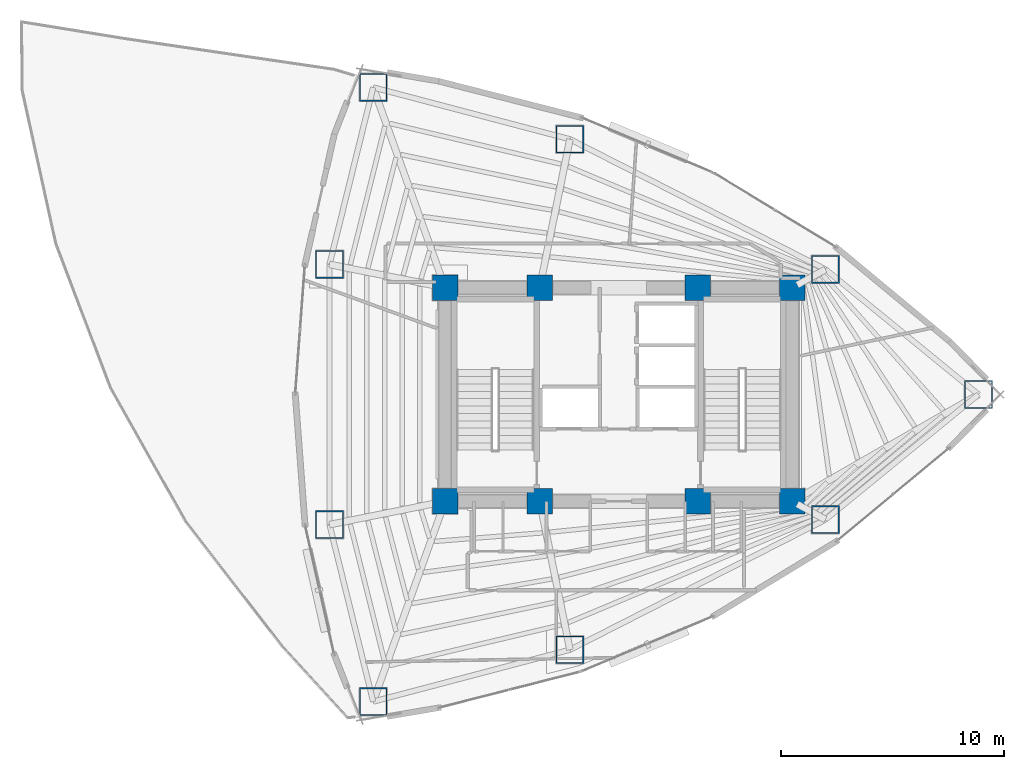
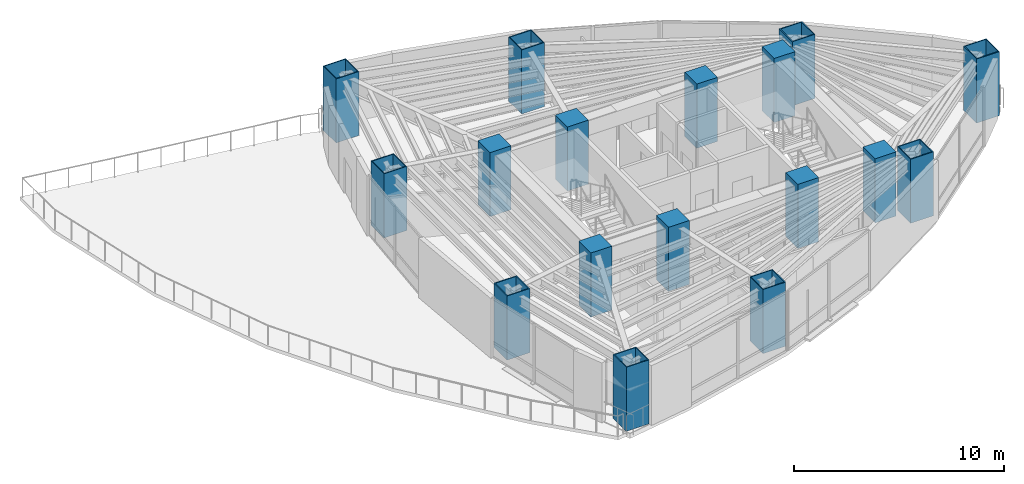
# One storey, part 1 of 19: 17 columns.
"""IFC4 building model written with IfcOpenShell, lengths in metres."""

from ifc_helpers import new_model, si_unit, direction, frame, origin, origin_2d, place, context, subcontext, project, spatial, rectangle, hollow_rectangle, extrude, material, material_profile, profile_set, type_object, element, save


model = new_model("IFC4")

# Units and contexts
model_context = context("Model", 3, precision=1e-05, world=origin(), true_north=direction((0.0, 1.0)))
body_context = subcontext(model_context, "Body", "Model", "MODEL_VIEW")
ifc_project = project(units=[si_unit("LENGTHUNIT", "METRE"), si_unit("AREAUNIT", "SQUARE_METRE"), si_unit("VOLUMEUNIT", "CUBIC_METRE"), si_unit("PLANEANGLEUNIT", "RADIAN"), si_unit("MASSUNIT", "GRAM", prefix="KILO")], contexts=[model_context])

# Site, building, storey
site_placement = place(None, origin())
site = spatial("IfcSite", under=ifc_project, at=site_placement, CompositionType="ELEMENT")
building_placement = place(site_placement, origin())
building = spatial("IfcBuilding", under=site, at=building_placement, Name="Menara Vayukalpa", CompositionType="ELEMENT")
storey_placement = place(building_placement, frame((0.0, 0.0, 118.860107421875)))
storey = spatial("IfcBuildingStorey", under=building, at=storey_placement, Name="L29", CompositionType="ELEMENT", Elevation=118.860107421875)

# Columns
ifc_material_1 = material(Name="Concrete C80/95", Category="concrete")
ifc_material_profile_1 = material_profile(ifc_material_1, rectangle(XDim=1.14990234375, YDim=1.14990234375, at=origin_2d()), Name="RC 1150x1150")
ifc_profile_set_1 = profile_set([ifc_material_profile_1], Name="Concrete C80/95")
column_type_1 = type_object("IfcColumnType", Name="COL-CC1", PredefinedType="COLUMN", material=ifc_profile_set_1)
for number, where, z_axis, x_axis, name in (
    (1, (17.800048828125, 17.199951171875, 0.0), (0.0, 0.0, 1.0), (1.0, 0.0, 0.0), "L29 Core Pilaster Column CC1"),
    (2, (22.050048828125, 17.199951171875, 0.0), (0.0, 0.0, 1.0), (1.0, 0.0, 0.0), "L29 Core Pilaster Column CC2"),
    (3, (29.14990234375, 17.199951171875, 0.0), (0.0, 0.0, 1.0), (1.0, 0.0, 0.0), "L29 Core Pilaster Column CC3"),
    (4, (33.39990234375, 17.199951171875, 0.0), (0.0, 0.0, 1.0), (1.0, 0.0, 0.0), "L29 Core Pilaster Column CC4"),
    (5, (17.800048828125, 26.800048828125, 0.0), (0.0, 0.0, 1.0), (1.0, 0.0, 0.0), "L29 Core Pilaster Column CC5"),
    (6, (22.050048828125, 26.800048828125, 0.0), (0.0, 0.0, 1.0), (1.0, 0.0, 0.0), "L29 Core Pilaster Column CC6"),
    (7, (29.14990234375, 26.800048828125, 0.0), (0.0, 0.0, 1.0), (1.0, 0.0, 0.0), "L29 Core Pilaster Column CC7"),
    (8, (33.39990234375, 26.800048828125, 0.0), (0.0, 0.0, 1.0), (1.0, 0.0, 0.0), "L29 Core Pilaster Column CC8"),
):
    element("IfcColumn", number, at=place(storey_placement, frame(where, z_axis=z_axis, x_axis=x_axis)), inside=storey, type_object=column_type_1, Name=name, PredefinedType="COLUMN", context=body_context, shape_type="SweptSolid", body=[
        extrude(rectangle(XDim=1.14990234375, YDim=1.14990234375, at=origin_2d()), origin(), (0.0, 0.0, 1.0), 3.719970703125),
    ])
ifc_material_2 = material(Name="Steel S460", Category="steel")
ifc_material_profile_2 = material_profile(ifc_material_2, hollow_rectangle(XDim=1.25, YDim=1.25, WallThickness=0.050048828125, at=origin_2d()), Name="BOX 1250x1250x50")
ifc_profile_set_2 = profile_set([ifc_material_profile_2], Name="Steel S460")
column_type_2 = type_object("IfcColumnType", Name="COL-MC2", PredefinedType="COLUMN", material=ifc_profile_set_2)
for number, where, z_axis, x_axis, name in (
    (9, (41.761962890625, 22.0, 0.0), (0.0, 0.0, 1.0), (1.0, 0.0, 0.0), "L29 Perimeter Mega Column P01"),
    (10, (34.88671875, 27.62158203125, 0.0), (0.0, 0.0, 1.0), (1.0, 0.0, 0.0), "L29 Perimeter Mega Column P02"),
    (11, (23.408203125, 33.46728515625, 0.0), (0.0, 0.0, 1.0), (1.0, 0.0, 0.0), "L29 Perimeter Mega Column P03"),
    (12, (14.569091796875, 35.79736328125, 0.0), (0.0, 0.0, 1.0), (1.0, 0.0, 0.0), "L29 Perimeter Mega Column P04"),
    (13, (12.606689453125, 27.845703125, 0.0), (0.0, 0.0, 1.0), (1.0, 0.0, 0.0), "L29 Perimeter Mega Column P05"),
    (14, (12.606689453125, 16.154296875, 0.0), (0.0, 0.0, 1.0), (1.0, 0.0, 0.0), "L29 Perimeter Mega Column P06"),
    (15, (14.569091796875, 8.20263671875, 0.0), (0.0, 0.0, 1.0), (1.0, 0.0, 0.0), "L29 Perimeter Mega Column P07"),
    (16, (23.408203125, 10.53271484375, 0.0), (0.0, 0.0, 1.0), (1.0, 0.0, 0.0), "L29 Perimeter Mega Column P08"),
    (17, (34.88671875, 16.37841796875, 0.0), (0.0, 0.0, 1.0), (1.0, 0.0, 0.0), "L29 Perimeter Mega Column P09"),
):
    element("IfcColumn", number, at=place(storey_placement, frame(where, z_axis=z_axis, x_axis=x_axis)), inside=storey, type_object=column_type_2, Name=name, PredefinedType="COLUMN", context=body_context, shape_type="SweptSolid", body=[
        extrude(hollow_rectangle(XDim=1.25, YDim=1.25, WallThickness=0.050048828125, at=origin_2d()), origin(), (0.0, 0.0, 1.0), 3.719970703125),
    ])

save(model, "model.ifc")
